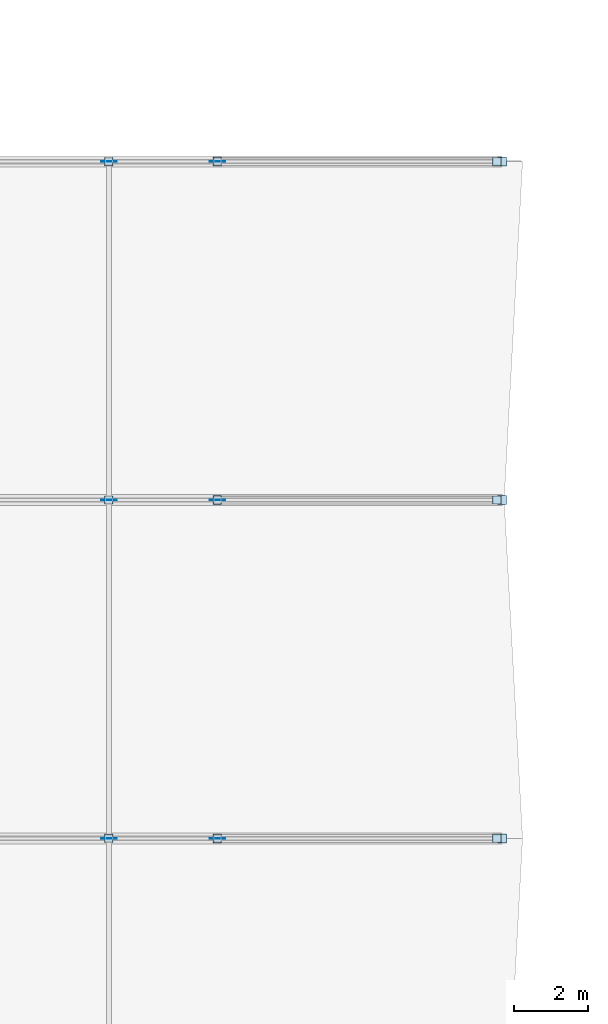
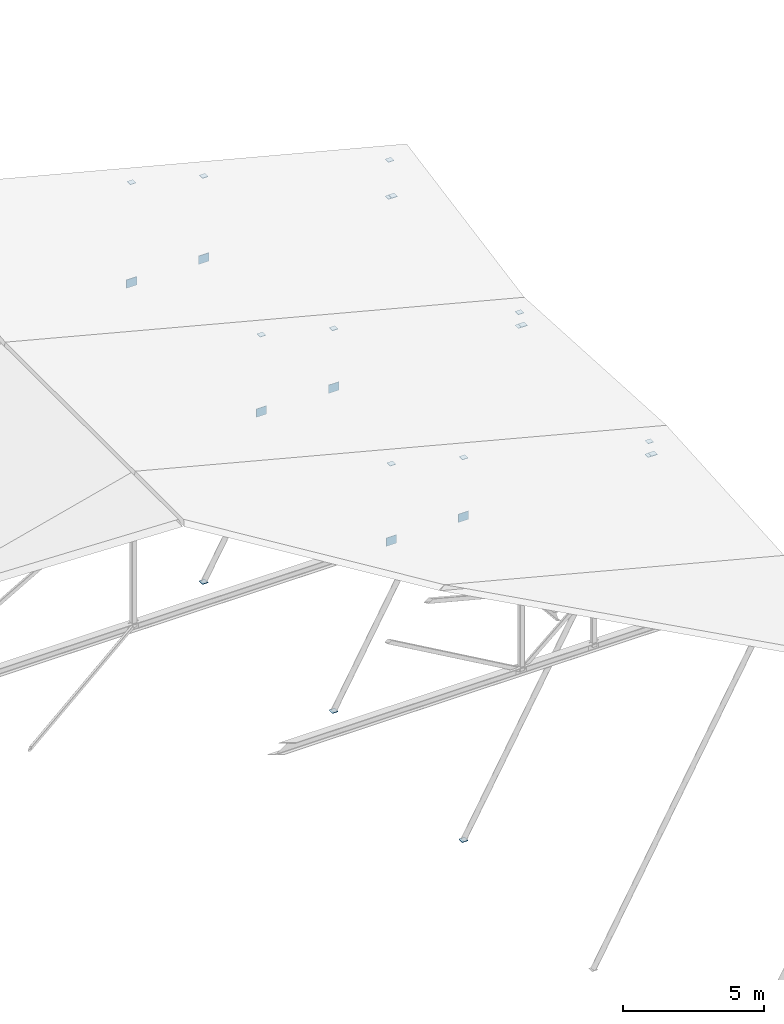
# One storey, part 51 of 56: 24 plates.
"""IFC4 building model written with IfcOpenShell, lengths in metres."""

from ifc_helpers import new_model, si_unit, direction, frame, origin, origin_2d, place, context, subcontext, project, spatial, rectangle, extrude, material, layer, layer_set, type_object, element, save


model = new_model("IFC4")

# Units and contexts
model_context = context("Model", 3, precision=1e-05, world=origin(), true_north=direction((0.0, 1.0)))
body_context = subcontext(model_context, "Body", "Model", "MODEL_VIEW")
ifc_project = project(units=[si_unit("LENGTHUNIT", "METRE"), si_unit("AREAUNIT", "SQUARE_METRE"), si_unit("VOLUMEUNIT", "CUBIC_METRE"), si_unit("PLANEANGLEUNIT", "RADIAN"), si_unit("MASSUNIT", "GRAM", prefix="KILO")], contexts=[model_context])

# Site, building, storey
site_placement = place(None, origin())
site = spatial("IfcSite", under=ifc_project, at=site_placement, CompositionType="ELEMENT")
building_placement = place(site_placement, origin())
building = spatial("IfcBuilding", under=site, at=building_placement, Name="Bozkorgan Art Gallery", CompositionType="ELEMENT")
storey_placement = place(building_placement, frame((0.0, 0.0, 24.0)))
storey = spatial("IfcBuildingStorey", under=building, at=storey_placement, Name="L05", CompositionType="ELEMENT", Elevation=24.0)

# Plates
ifc_material = material(Name="Steel S355J2", Category="steel")
ifc_layer_1 = layer(ifc_material, 0.01611328125, Name="Steel S355J2")
ifc_layer_set_1 = layer_set([ifc_layer_1], Name="Steel S355J2")
plate_type_1 = type_object("IfcPlateType", Name="PLATE-EC-05", PredefinedType="USERDEFINED", material=ifc_layer_set_1)
for number, where, z_axis, x_axis, name in (
    (1, (98.050048828125, 66.0, 3.492919921875), (0.0, 0.0, 1.0), (1.0, 0.0, 0.0), "Truss V4 post cap 3.4"),
    (2, (101.0, 66.0, 2.72998046875), (0.0, 0.0, 1.0), (1.0, 0.0, 0.0), "Truss V4 post cap 3.5"),
    (3, (108.60009765625, 66.0, 0.7646484375), (0.0, 0.0, 1.0), (1.0, 0.0, 0.0), "Truss V4 post cap 3.6"),
    (4, (108.60009765625, 66.0, 0.171875), (0.0, 0.0, 1.0), (1.0, 0.0, 0.0), "Truss V4 post base cap 3.6"),
    (5, (98.050048828125, 75.199951171875, 3.492919921875), (0.0, 0.0, 1.0), (1.0, 0.0, 0.0), "Truss V4 post cap 4.4"),
    (6, (101.0, 75.199951171875, 2.72998046875), (0.0, 0.0, 1.0), (1.0, 0.0, 0.0), "Truss V4 post cap 4.5"),
    (7, (108.60009765625, 75.199951171875, 0.7646484375), (0.0, 0.0, 1.0), (1.0, 0.0, 0.0), "Truss V4 post cap 4.6"),
    (8, (108.60009765625, 75.199951171875, 0.171875), (0.0, 0.0, 1.0), (1.0, 0.0, 0.0), "Truss V4 post base cap 4.6"),
    (9, (98.050048828125, 84.39990234375, 4.50048828125), (0.0, 0.0, 1.0), (1.0, 0.0, 0.0), "Truss V4 post cap 5.4"),
    (10, (101.0, 84.39990234375, 3.737548828125), (0.0, 0.0, 1.0), (1.0, 0.0, 0.0), "Truss V4 post cap 5.5"),
    (11, (108.60009765625, 84.39990234375, 1.772216796875), (0.0, 0.0, 1.0), (1.0, 0.0, 0.0), "Truss V4 post cap 5.6"),
    (12, (108.60009765625, 84.39990234375, 0.171875), (0.0, 0.0, 1.0), (1.0, 0.0, 0.0), "Truss V4 post base cap 5.6"),
):
    element("IfcPlate", number, at=place(storey_placement, frame(where, z_axis=z_axis, x_axis=x_axis)), inside=storey, type_object=plate_type_1, Name=name, ObjectType="END CAP PLATE", PredefinedType="USERDEFINED", context=body_context, shape_type="SweptSolid", body=[
        extrude(rectangle(XDim=0.22998046875, YDim=0.22998046875, at=origin_2d()), origin(), (0.0, 0.0, 1.0), 0.01611328125),
    ])
ifc_layer_2 = layer(ifc_material, 0.02001953125, Name="Steel S355J2")
ifc_layer_set_2 = layer_set([ifc_layer_2], Name="Steel S355J2")
plate_type_2 = type_object("IfcPlateType", Name="PLATE-EC-24", PredefinedType="USERDEFINED", material=ifc_layer_set_2)
for number, where, z_axis, x_axis, name in (
    (13, (101.0, 66.0, -13.81005859375), (0.0, 0.0, 1.0), (1.0, 0.0, 0.0), "ROOF-V4-MAIN east swept-eave diagonal tree-strut 3 end cap 1"),
    (14, (108.739990234375, 66.0, 0.169921875), (0.0, 0.0, 1.0), (1.0, 0.0, 0.0), "ROOF-V4-MAIN east swept-eave diagonal tree-strut 3 end cap 2"),
    (15, (101.0, 75.199951171875, -13.81005859375), (0.0, 0.0, 1.0), (1.0, 0.0, 0.0), "ROOF-V4-MAIN east swept-eave diagonal tree-strut 4 end cap 1"),
    (16, (108.739990234375, 75.199951171875, 0.169921875), (0.0, 0.0, 1.0), (1.0, 0.0, 0.0), "ROOF-V4-MAIN east swept-eave diagonal tree-strut 4 end cap 2"),
    (17, (101.0, 84.39990234375, -13.81005859375), (0.0, 0.0, 1.0), (1.0, 0.0, 0.0), "ROOF-V4-MAIN east swept-eave diagonal tree-strut 5 end cap 1"),
    (18, (108.739990234375, 84.39990234375, 0.169921875), (0.0, 0.0, 1.0), (1.0, 0.0, 0.0), "ROOF-V4-MAIN east swept-eave diagonal tree-strut 5 end cap 2"),
):
    element("IfcPlate", number, at=place(storey_placement, frame(where, z_axis=z_axis, x_axis=x_axis)), inside=storey, type_object=plate_type_2, Name=name, ObjectType="END CAP PLATE", PredefinedType="USERDEFINED", context=body_context, shape_type="SweptSolid", body=[
        extrude(rectangle(XDim=0.239990234375, YDim=0.239990234375, at=origin_2d()), origin(), (0.0, 0.0, 1.0), 0.02001953125),
    ])
ifc_layer_3 = layer(ifc_material, 0.02001953125, Name="Steel S355J2")
ifc_layer_set_3 = layer_set([ifc_layer_3], Name="Steel S355J2")
plate_type_3 = type_object("IfcPlateType", Name="PLATE-GP-55", PredefinedType="USERDEFINED", material=ifc_layer_set_3)
for number, where, z_axis, x_axis, name in (
    (19, (98.050048828125, 66.0, 0.0), (0.0, 0.0, 1.0), (1.0, 0.0, 0.0), "Truss V4 span 3 node gusset TN-4"),
    (20, (101.0, 66.0, 0.0), (0.0, 0.0, 1.0), (1.0, 0.0, 0.0), "Truss V4 span 3 node gusset TN-5"),
    (21, (98.050048828125, 75.199951171875, 0.0), (0.0, 0.0, 1.0), (1.0, 0.0, 0.0), "Truss V4 span 4 node gusset TN-4"),
    (22, (101.0, 75.199951171875, 0.0), (0.0, 0.0, 1.0), (1.0, 0.0, 0.0), "Truss V4 span 4 node gusset TN-5"),
    (23, (98.050048828125, 84.39990234375, 0.0), (0.0, 0.0, 1.0), (1.0, 0.0, 0.0), "Truss V4 span 5 node gusset TN-4"),
    (24, (101.0, 84.39990234375, 0.0), (0.0, 0.0, 1.0), (1.0, 0.0, 0.0), "Truss V4 span 5 node gusset TN-5"),
):
    element("IfcPlate", number, at=place(storey_placement, frame(where, z_axis=z_axis, x_axis=x_axis)), inside=storey, type_object=plate_type_3, Name=name, ObjectType="GUSSET PLATE", PredefinedType="USERDEFINED", context=body_context, shape_type="SweptSolid", body=[
        extrude(rectangle(XDim=0.419921875, YDim=0.02001953125, at=origin_2d()), origin(), (0.0, 0.0, 1.0), 0.360107421875),
    ])

save(model, "model.ifc")
